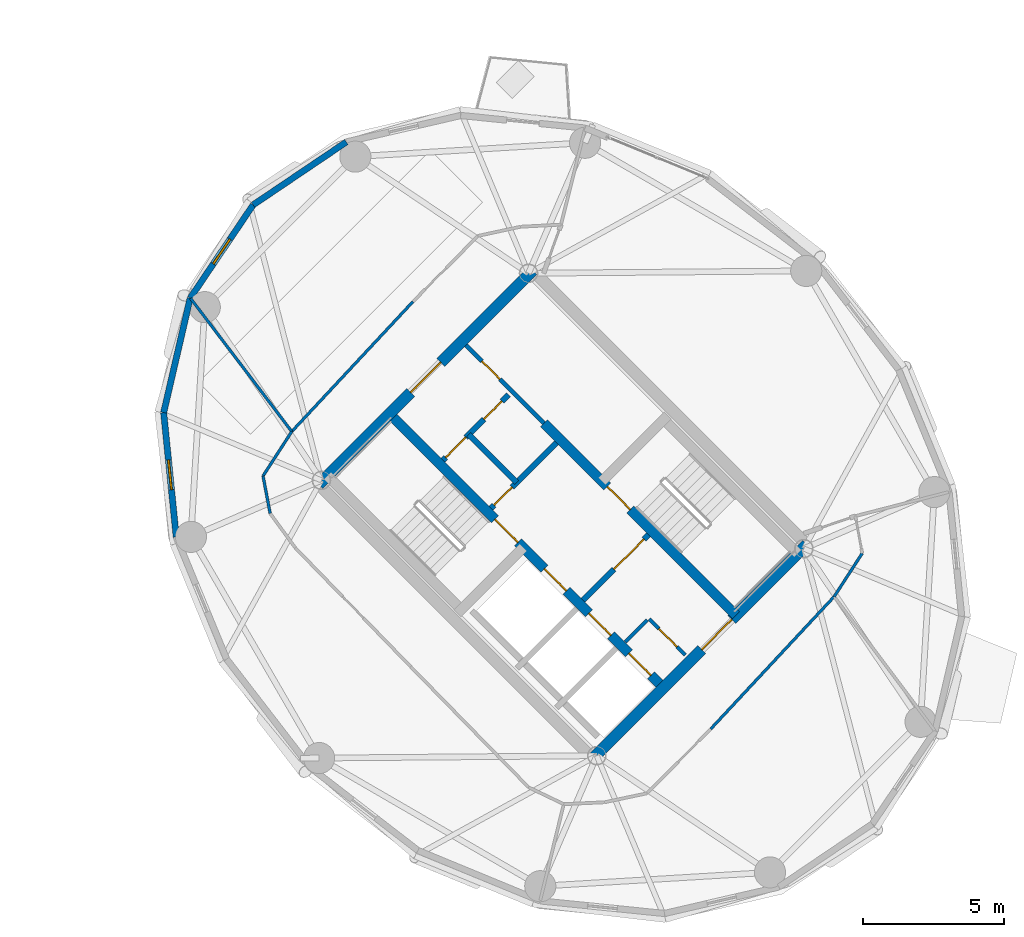
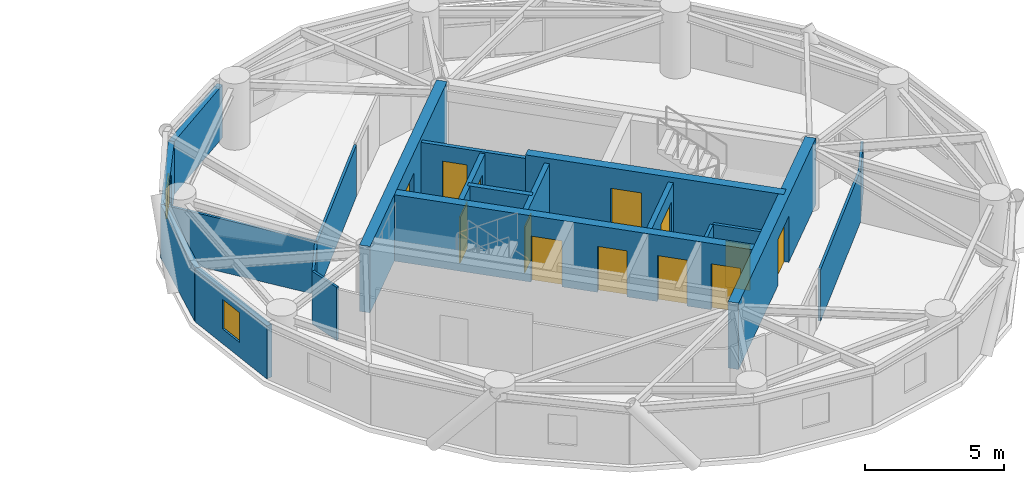
# One storey, part 10 of 15: 21 walls, 13 doors, 2 windows, 15 openings.
"""IFC4 building model written with IfcOpenShell, lengths in metres."""

import ifcopenshell
import ifcopenshell.guid

model = None  # the IFC model being written
_history = None  # IfcOwnerHistory: only IFC2X3 demands one
_inside = {}  # id of a spatial element -> (the spatial element, [elements in it])
_under = {}  # id of a project, library or spatial element -> (it, [spatial elements below it])
_declared = {}  # id of a project -> (the project, [libraries it declares])
_typed = {}  # id of a type object -> (the type object, [elements of that type])
_made_of = {}  # id of a material, layer set ... -> (it, [elements and type objects made of it])


def new_model(schema):
    """Start an empty IFC model of exactly this schema.

    Asked for "IFC4X3", IfcOpenShell would pick the latest addendum, in which some entities
    have other attributes; the version numbers below select the first issue.
    IFC2X3 requires an IfcOwnerHistory on every rooted entity: one is made here for all.
    """
    global model, _history
    if schema == "IFC4X3":
        model = ifcopenshell.file(schema_version=(4, 3, 0, 0))
    else:
        model = ifcopenshell.file(schema=schema)
    _inside.clear()
    _under.clear()
    _declared.clear()
    _typed.clear()
    _made_of.clear()
    _history = None
    if model.schema == "IFC2X3":
        org = make("IfcOrganization", Name="unknown")
        user = make(
            "IfcPersonAndOrganization",
            ThePerson=make("IfcPerson", FamilyName="unknown"),
            TheOrganization=org,
        )
        app = make(
            "IfcApplication",
            ApplicationDeveloper=org,
            Version="unknown",
            ApplicationFullName="unknown",
            ApplicationIdentifier="unknown",
        )
        _history = make(
            "IfcOwnerHistory",
            OwningUser=user,
            OwningApplication=app,
            ChangeAction="ADDED",
            CreationDate=0,
        )
    return model


def make(cls, **values):
    """One entity of the class cls with the attributes given. An attribute that is None is left unset."""
    return model.create_entity(
        cls, **{name: value for name, value in values.items() if value is not None}
    )


def rooted(cls, **values):
    """An entity with a GlobalId (a new one), such as an element, a storey or a relation."""
    return make(cls, GlobalId=ifcopenshell.guid.new(), OwnerHistory=_history, **values)


def si_unit(unit_type, name, prefix=None):
    """IfcSIUnit, for example si_unit("LENGTHUNIT", "METRE", prefix="MILLI")."""
    return make("IfcSIUnit", UnitType=unit_type, Prefix=prefix, Name=name)


def assignment(units):
    """IfcUnitAssignment: the units of a project."""
    return None if units is None else make("IfcUnitAssignment", Units=units)


def point(xyz):
    """IfcCartesianPoint."""
    return None if xyz is None else make("IfcCartesianPoint", Coordinates=xyz)


def direction(xyz):
    """IfcDirection."""
    return None if xyz is None else make("IfcDirection", DirectionRatios=xyz)


def frame(location, z_axis=None, x_axis=None):
    """IfcAxis2Placement3D, a coordinate frame: its origin and axes. An axis left out is left unset."""
    return make(
        "IfcAxis2Placement3D",
        Location=point(location),
        Axis=direction(z_axis),
        RefDirection=direction(x_axis),
    )


def frame_2d(location, x_axis=None):
    """IfcAxis2Placement2D, a coordinate frame in the plane: its origin and x axis."""
    return make(
        "IfcAxis2Placement2D", Location=point(location), RefDirection=direction(x_axis)
    )


def origin():
    """The frame at (0, 0, 0) with its axes left unset."""
    return frame((0.0, 0.0, 0.0))


def place(relative_to, where):
    """IfcLocalPlacement: puts the frame where relative to a parent placement (None: the world)."""
    return make(
        "IfcLocalPlacement", PlacementRelTo=relative_to, RelativePlacement=where
    )


def context(
    kind, dimensions, precision=None, world=None, true_north=None, identifier=None
):
    """IfcGeometricRepresentationContext, for example the 3D "Model" context."""
    return make(
        "IfcGeometricRepresentationContext",
        ContextIdentifier=identifier,
        ContextType=kind,
        CoordinateSpaceDimension=dimensions,
        Precision=precision,
        WorldCoordinateSystem=world,
        TrueNorth=true_north,
    )


def subcontext(parent, identifier, kind, view, scale=None):
    """IfcGeometricRepresentationSubContext, for example "Body" below "Model"."""
    return make(
        "IfcGeometricRepresentationSubContext",
        ContextIdentifier=identifier,
        ContextType=kind,
        ParentContext=parent,
        TargetScale=scale,
        TargetView=view,
    )


def project(units=None, contexts=None):
    """IfcProject with its units and contexts."""
    return rooted(
        "IfcProject",
        Name="project",
        RepresentationContexts=contexts,
        UnitsInContext=assignment(units),
    )


def spatial(cls, under=None, at=None, **own):
    """A site, building, storey or space (cls), placed at a placement, below another one or the project."""
    s = rooted(cls, ObjectPlacement=at, **own)
    if under is not None:
        _under.setdefault(under.id(), (under, []))[1].append(s)
    return s


def profile(cls, at=None, kind="AREA", **sizes):
    """A parametric profile (cls). Its sizes go by their IFC names, for example OverallWidth=200.0."""
    return make(cls, ProfileType=kind, Position=at, **sizes)


def rectangle(**sizes):
    """IfcRectangleProfileDef."""
    return profile("IfcRectangleProfileDef", **sizes)


def extrude(swept, where, along, depth):
    """IfcExtrudedAreaSolid: the profile swept, set in the frame where, extruded along a direction by depth."""
    return make(
        "IfcExtrudedAreaSolid",
        SweptArea=swept,
        Position=where,
        ExtrudedDirection=direction(along),
        Depth=depth,
    )


def shape(context_of_items, identifier, shape_type, items):
    """IfcShapeRepresentation: the items that make up one representation, for example the "Body"."""
    return make(
        "IfcShapeRepresentation",
        ContextOfItems=context_of_items,
        RepresentationIdentifier=identifier,
        RepresentationType=shape_type,
        Items=items,
    )


def source(mapping_origin, context_of_items, identifier, shape_type, items):
    """IfcRepresentationMap: a shape defined once, which mapped items show again and again."""
    return make(
        "IfcRepresentationMap",
        MappingOrigin=mapping_origin,
        MappedRepresentation=shape(context_of_items, identifier, shape_type, items),
    )


def transform(
    local_origin,
    x_axis=None,
    y_axis=None,
    z_axis=None,
    scale=None,
    scale2=None,
    scale3=None,
    uniform=True,
):
    """IfcCartesianTransformationOperator3D, or its non-uniform kind. x_axis, y_axis, z_axis: its Axis1, 2, 3."""
    if uniform:
        return make(
            "IfcCartesianTransformationOperator3D",
            Axis1=direction(x_axis),
            Axis2=direction(y_axis),
            LocalOrigin=point(local_origin),
            Scale=scale,
            Axis3=direction(z_axis),
        )
    return make(
        "IfcCartesianTransformationOperator3DnonUniform",
        Axis1=direction(x_axis),
        Axis2=direction(y_axis),
        LocalOrigin=point(local_origin),
        Scale=scale,
        Axis3=direction(z_axis),
        Scale2=scale2,
        Scale3=scale3,
    )


def mapped(mapping_source, mapping_target):
    """IfcMappedItem: shows the shape of a source again, moved by a transform."""
    return make(
        "IfcMappedItem", MappingSource=mapping_source, MappingTarget=mapping_target
    )


def material(Name=None, Category=None):
    """IfcMaterial."""
    return make("IfcMaterial", Name=Name, Category=Category)


def layer(
    of_material, thickness, ventilated=None, Name=None, Category=None, Priority=None
):
    """IfcMaterialLayer: one layer of a wall or slab, of a material (None: an air gap)."""
    return make(
        "IfcMaterialLayer",
        Material=of_material,
        LayerThickness=thickness,
        IsVentilated=ventilated,
        Name=Name,
        Category=Category,
        Priority=Priority,
    )


def layer_set(layers, Name=None):
    """IfcMaterialLayerSet."""
    return make("IfcMaterialLayerSet", MaterialLayers=layers, LayerSetName=Name)


def made_of(thing, what):
    """Note that an element or type object is made of a material, layer set ...; save() writes the relation."""
    if what is not None:
        _made_of.setdefault(what.id(), (what, []))[1].append(thing)
    return thing


def type_object(cls, material=None, **own):
    """A type object (cls), such as IfcWallType, which elements share."""
    return made_of(rooted(cls, **own), material)


def element(
    cls,
    number,
    at=None,
    inside=None,
    cuts=None,
    type_object=None,
    material=None,
    context=None,
    identifier="Body",
    shape_type=None,
    held_by="IfcProductDefinitionShape",
    body=None,
    shapes=None,
    **own,
):
    """One element of the class cls, such as IfcWall. Its Tag is "e" and its number.

    at: its placement. inside: the storey or other place that contains it. cuts: it is an
    opening in that element (IfcRelVoidsElement). A single representation is given by context,
    identifier, shape_type and body (its items); several are given by shapes. held_by: the class
    of the entity that holds the representations. save() writes the other relations.
    """
    e = rooted(cls, Tag="e%d" % number, ObjectPlacement=at, **own)
    if body is not None:
        shapes = [shape(context, identifier, shape_type, body)]
    if shapes is not None:
        e.Representation = make(held_by, Representations=shapes)
    if inside is not None:
        _inside.setdefault(inside.id(), (inside, []))[1].append(e)
    if cuts is not None:
        rooted(
            "IfcRelVoidsElement", RelatingBuildingElement=cuts, RelatedOpeningElement=e
        )
    if type_object is not None:
        _typed.setdefault(type_object.id(), (type_object, []))[1].append(e)
    return made_of(e, material)


def fill(opening, filler):
    """IfcRelFillsElement: the door or window that sits in an opening."""
    return rooted(
        "IfcRelFillsElement",
        RelatingOpeningElement=opening,
        RelatedBuildingElement=filler,
    )


def aggregate(whole, parts):
    """IfcRelAggregates: a whole, such as a stair, and the parts it consists of."""
    return rooted("IfcRelAggregates", RelatingObject=whole, RelatedObjects=parts)


def save(model, path):
    """Write the relations noted so far, then the file.

    IfcRelAggregates (storeys below a building ...), IfcRelContainedInSpatialStructure (elements
    in a storey), IfcRelDefinesByType, IfcRelAssociatesMaterial and IfcRelDeclares: one each for
    every whole, place, type object, material and project.
    """
    for whole, parts in _under.values():
        aggregate(whole, parts)
    for where, things in _inside.values():
        rooted(
            "IfcRelContainedInSpatialStructure",
            RelatedElements=things,
            RelatingStructure=where,
        )
    for kind, things in _typed.values():
        rooted("IfcRelDefinesByType", RelatedObjects=things, RelatingType=kind)
    for what, things in _made_of.values():
        rooted("IfcRelAssociatesMaterial", RelatedObjects=things, RelatingMaterial=what)
    for by, libraries in _declared.values():
        rooted("IfcRelDeclares", RelatingContext=by, RelatedDefinitions=libraries)
    model.write(path)


model = new_model("IFC4")

# Units and contexts
model_context = context("Model", 3, precision=1e-05, world=origin(), true_north=direction((0.0, 1.0)))
body_context = subcontext(model_context, "Body", "Model", "MODEL_VIEW")
ifc_project = project(units=[si_unit("LENGTHUNIT", "METRE"), si_unit("AREAUNIT", "SQUARE_METRE"), si_unit("VOLUMEUNIT", "CUBIC_METRE"), si_unit("PLANEANGLEUNIT", "RADIAN"), si_unit("MASSUNIT", "GRAM", prefix="KILO")], contexts=[model_context])

# Site, building, storey
site_placement = place(None, origin())
site = spatial("IfcSite", under=ifc_project, at=site_placement, CompositionType="ELEMENT")
building_placement = place(site_placement, origin())
building = spatial("IfcBuilding", under=site, at=building_placement, Name="Cununo Teusaquillo Station Towers", CompositionType="ELEMENT")
storey_placement = place(building_placement, frame((0.0, 0.0, 199.570068359375)))
storey = spatial("IfcBuildingStorey", under=building, at=storey_placement, Name="L63", CompositionType="ELEMENT", Elevation=199.570068359375)

# Wall, openings, doors
ifc_material_1 = material(Name="Concrete C50/60", Category="concrete")
ifc_layer_1 = layer(ifc_material_1, 0.35009765625)
ifc_layer_set_1 = layer_set([ifc_layer_1], Name="Concrete C50/60")
wall_type_1 = type_object("IfcWallType", Name="WL-CORE-350", PredefinedType="SHEAR", material=ifc_layer_set_1)
wall_1_placement = place(storey_placement, frame((61.060302734375, 18.372802734375, 0.0), z_axis=(0.0, 0.0, 1.0), x_axis=(-0.707106781187, 0.707106781187, 0.0)))
wall_1 = element("IfcWall", 1, at=wall_1_placement, inside=storey, type_object=wall_type_1, Name="L63 Tower B Core Shear Wall IW", PredefinedType="SHEAR", context=body_context, shape_type="SweptSolid", body=[
    extrude(rectangle(XDim=13.7001953125, YDim=0.35009765625, at=frame_2d((6.85009765625, 0.0))), origin(), (0.0, 0.0, 1.0), 2.909912109375),
])
shared_shape_1 = source(origin(), body_context, "Body", "SweptSolid", [
    extrude(rectangle(XDim=1.10009765625, YDim=2.014892578125, at=frame_2d((0.550048828125, 1.00732421875))), frame((0.0, 0.18505859375, 0.0), z_axis=(0.0, -1.0, 0.0), x_axis=(1.0, 0.0, 0.0)), (0.0, 0.0, 1.0), 0.3701171875),
])
opening_1_placement = place(wall_1_placement, frame((4.85009765625, 0.0, 0.0)))
opening_1 = element("IfcOpeningElement", 2, at=opening_1_placement, cuts=wall_1, Name="Opening LD-01", PredefinedType="OPENING", context=body_context, shape_type="MappedRepresentation", body=[
    mapped(shared_shape_1, transform((0.0, 0.0, 0.0), x_axis=(1.0, 0.0, 0.0), y_axis=(0.0, 1.0, 0.0), z_axis=(0.0, 0.0, 1.0), scale=1.0)),
])
opening_2_placement = place(wall_1_placement, frame((0.625, 0.0, 0.0)))
opening_2 = element("IfcOpeningElement", 3, at=opening_2_placement, cuts=wall_1, Name="Opening LD-01", PredefinedType="OPENING", context=body_context, shape_type="MappedRepresentation", body=[
    mapped(shared_shape_1, transform((0.0, 0.0, 0.0), x_axis=(1.0, 0.0, 0.0), y_axis=(0.0, 1.0, 0.0), z_axis=(0.0, 0.0, 1.0), scale=1.0)),
])
opening_3_placement = place(wall_1_placement, frame((2.625, 0.0, 0.0)))
opening_3 = element("IfcOpeningElement", 4, at=opening_3_placement, cuts=wall_1, Name="Opening LD-01", PredefinedType="OPENING", context=body_context, shape_type="MappedRepresentation", body=[
    mapped(shared_shape_1, transform((0.0, 0.0, 0.0), x_axis=(1.0, 0.0, 0.0), y_axis=(0.0, 1.0, 0.0), z_axis=(0.0, 0.0, 1.0), scale=1.0)),
])
shared_shape_2 = source(origin(), body_context, "Body", "SweptSolid", [
    extrude(rectangle(XDim=1.14990234375, YDim=2.02001953125, at=frame_2d((0.574951171875, 1.010009765625))), frame((0.0, 0.18505859375, 0.0), z_axis=(0.0, -1.0, 0.0), x_axis=(1.0, 0.0, 0.0)), (0.0, 0.0, 1.0), 0.3701171875),
])
opening_4_placement = place(wall_1_placement, frame((7.27001953125, 0.0, 0.0)))
opening_4 = element("IfcOpeningElement", 5, at=opening_4_placement, cuts=wall_1, Name="Opening D-ST1", PredefinedType="OPENING", context=body_context, shape_type="MappedRepresentation", body=[
    mapped(shared_shape_2, transform((0.0, 0.0, 0.0), x_axis=(1.0, 0.0, 0.0), y_axis=(0.0, 1.0, 0.0), z_axis=(0.0, 0.0, 1.0), scale=1.0)),
])
ifc_material_2 = material(Name="Galvanised fire-rated hollow steel door assembly", Category="steel")
door_type_1 = type_object("IfcDoorType", Name="DR-LIFT-1100", OperationType="SLIDING_TO_LEFT", PredefinedType="DOOR", material=ifc_material_2)
shared_shape_3 = source(origin(), body_context, "Body", "SweptSolid", [
    extrude(rectangle(XDim=1.10009765625, YDim=2.014892578125, at=frame_2d((0.550048828125, 1.00732421875))), frame((0.0, 0.02490234375, 0.0), z_axis=(0.0, -1.0, 0.0), x_axis=(1.0, 0.0, 0.0)), (0.0, 0.0, 1.0), 0.050048828125),
])
door_1_placement = place(opening_1_placement, origin())
door_1 = element("IfcDoor", 6, at=door_1_placement, inside=storey, type_object=door_type_1, Name="L63 Lift FL-T2 Sliding Landing Door", OperationType="SLIDING_TO_LEFT", OverallHeight=2.014892578125, OverallWidth=1.10009765625, PredefinedType="DOOR", context=body_context, shape_type="MappedRepresentation", body=[
    mapped(shared_shape_3, transform((0.0, 0.0, 0.0), x_axis=(1.0, 0.0, 0.0), y_axis=(0.0, 1.0, 0.0), z_axis=(0.0, 0.0, 1.0), scale=1.0)),
])
fill(opening_1, door_1)
door_2_placement = place(opening_2_placement, origin())
door_2 = element("IfcDoor", 7, at=door_2_placement, inside=storey, type_object=door_type_1, Name="L63 Lift PL-T2-H1 Sliding Landing Door", OperationType="SLIDING_TO_LEFT", OverallHeight=2.014892578125, OverallWidth=1.10009765625, PredefinedType="DOOR", context=body_context, shape_type="MappedRepresentation", body=[
    mapped(shared_shape_3, transform((0.0, 0.0, 0.0), x_axis=(1.0, 0.0, 0.0), y_axis=(0.0, 1.0, 0.0), z_axis=(0.0, 0.0, 1.0), scale=1.0)),
])
fill(opening_2, door_2)
door_3_placement = place(opening_3_placement, origin())
door_3 = element("IfcDoor", 8, at=door_3_placement, inside=storey, type_object=door_type_1, Name="L63 Lift PL-T2-H2 Sliding Landing Door", OperationType="SLIDING_TO_RIGHT", OverallHeight=2.014892578125, OverallWidth=1.10009765625, PredefinedType="DOOR", context=body_context, shape_type="MappedRepresentation", body=[
    mapped(shared_shape_3, transform((0.0, 0.0, 0.0), x_axis=(1.0, 0.0, 0.0), y_axis=(0.0, 1.0, 0.0), z_axis=(0.0, 0.0, 1.0), scale=1.0)),
])
fill(opening_3, door_3)
ifc_material_3 = material(Name="Galvanised fire-rated hollow steel door assembly", Category="steel")
door_type_2 = type_object("IfcDoorType", Name="DR-STAIR-1150", OperationType="NOTDEFINED", PredefinedType="DOOR", material=ifc_material_3)
shared_shape_4 = source(origin(), body_context, "Body", "SweptSolid", [
    extrude(rectangle(XDim=1.14990234375, YDim=2.02001953125, at=frame_2d((0.574951171875, 1.010009765625))), frame((0.0, 0.02490234375, 0.0), z_axis=(0.0, -1.0, 0.0), x_axis=(1.0, 0.0, 0.0)), (0.0, 0.0, 1.0), 0.050048828125),
])
door_4_placement = place(opening_4_placement, origin())
door_4 = element("IfcDoor", 9, at=door_4_placement, inside=storey, type_object=door_type_2, Name="L63 Tower B Exit Stair 1 Fire Door", OperationType="SINGLE_SWING_LEFT", OverallHeight=2.02001953125, OverallWidth=1.14990234375, PredefinedType="DOOR", context=body_context, shape_type="MappedRepresentation", body=[
    mapped(shared_shape_4, transform((0.0, 0.0, 0.0), x_axis=(1.0, 0.0, 0.0), y_axis=(0.0, 1.0, 0.0), z_axis=(0.0, 0.0, 1.0), scale=1.0)),
])
fill(opening_4, door_4)

# Wall, opening, door
wall_2_placement = place(storey_placement, frame((63.627197265625, 20.939697265625, 0.0), z_axis=(0.0, 0.0, 1.0), x_axis=(-0.707119496762, 0.707094065383, 0.0)))
wall_2 = element("IfcWall", 10, at=wall_2_placement, inside=storey, type_object=wall_type_1, Name="L63 Tower B Core Shear Wall IE", PredefinedType="SHEAR", context=body_context, shape_type="SweptSolid", body=[
    extrude(rectangle(XDim=9.60009765625, YDim=0.35009765625, at=frame_2d((4.800048828125, 0.0))), origin(), (0.0, 0.0, 1.0), 2.909912109375),
])
opening_5_placement = place(wall_2_placement, frame((5.280029296875, 0.0, 0.0)))
opening_5 = element("IfcOpeningElement", 11, at=opening_5_placement, cuts=wall_2, Name="Opening D-ST1", PredefinedType="OPENING", context=body_context, shape_type="MappedRepresentation", body=[
    mapped(shared_shape_2, transform((0.0, 0.0, 0.0), x_axis=(1.0, 0.0, 0.0), y_axis=(0.0, 1.0, 0.0), z_axis=(0.0, 0.0, 1.0), scale=1.0)),
])
door_5_placement = place(opening_5_placement, origin())
door_5 = element("IfcDoor", 12, at=door_5_placement, inside=storey, type_object=door_type_2, Name="L63 Tower B Exit Stair 2 Fire Door", OperationType="SINGLE_SWING_RIGHT", OverallHeight=2.02001953125, OverallWidth=1.14990234375, PredefinedType="DOOR", context=body_context, shape_type="MappedRepresentation", body=[
    mapped(shared_shape_4, transform((0.0, 0.0, 0.0), x_axis=(1.0, 0.0, 0.0), y_axis=(0.0, 1.0, 0.0), z_axis=(0.0, 0.0, 1.0), scale=1.0)),
])
fill(opening_5, door_5)

ifc_material_4 = material(Name="Concrete C50/60", Category="concrete")
ifc_layer_2 = layer(ifc_material_4, 0.39990234375)
ifc_layer_set_2 = layer_set([ifc_layer_2], Name="Concrete C50/60")
wall_type_2 = type_object("IfcWallType", Name="WL-CORE-400", PredefinedType="SHEAR", material=ifc_layer_set_2)
wall_3_placement = place(storey_placement, frame((58.560791015625, 15.873291015625, 0.0), z_axis=(0.0, 0.0, 1.0), x_axis=(0.707106781187, 0.707106781187, 0.0)))
wall_3 = element("IfcWall", 13, at=wall_3_placement, inside=storey, type_object=wall_type_2, Name="L63 Tower B Core Shear Wall S", PredefinedType="SHEAR", context=body_context, shape_type="SweptSolid", body=[
    extrude(rectangle(XDim=10.69970703125, YDim=0.39990234375, at=frame_2d((5.349853515625, 0.0))), origin(), (0.0, 0.0, 1.0), 2.909912109375),
])
shared_shape_5 = source(origin(), body_context, "Body", "SweptSolid", [
    extrude(rectangle(XDim=1.5, YDim=2.02001953125, at=frame_2d((0.75, 1.010009765625))), frame((0.0, 0.2099609375, 0.0), z_axis=(0.0, -1.0, 0.0), x_axis=(1.0, 0.0, 0.0)), (0.0, 0.0, 1.0), 0.419921875),
])
opening_6_placement = place(wall_3_placement, frame((5.449951171875, 0.0, 0.0)))
opening_6 = element("IfcOpeningElement", 14, at=opening_6_placement, cuts=wall_3, Name="Opening D-LB1", PredefinedType="OPENING", context=body_context, shape_type="MappedRepresentation", body=[
    mapped(shared_shape_5, transform((0.0, 0.0, 0.0), x_axis=(1.0, 0.0, 0.0), y_axis=(0.0, 1.0, 0.0), z_axis=(0.0, 0.0, 1.0), scale=1.0)),
])
ifc_material_5 = material(Name="Galvanised fire-rated hollow steel door assembly", Category="steel")
door_type_3 = type_object("IfcDoorType", Name="DR-LOBBY-1500", OperationType="DOUBLE_DOOR_SINGLE_SWING", PredefinedType="DOOR", material=ifc_material_5)
shared_shape_6 = source(origin(), body_context, "Body", "SweptSolid", [
    extrude(rectangle(XDim=1.5, YDim=2.02001953125, at=frame_2d((0.75, 1.010009765625))), frame((0.0, 0.02490234375, 0.0), z_axis=(0.0, -1.0, 0.0), x_axis=(1.0, 0.0, 0.0)), (0.0, 0.0, 1.0), 0.050048828125),
])
door_6_placement = place(opening_6_placement, origin())
door_6 = element("IfcDoor", 15, at=door_6_placement, inside=storey, type_object=door_type_3, Name="L63 Tower B South Core Lift Lobby Door", OperationType="DOUBLE_DOOR_SINGLE_SWING", OverallHeight=2.02001953125, OverallWidth=1.5, PredefinedType="DOOR", context=body_context, shape_type="MappedRepresentation", body=[
    mapped(shared_shape_6, transform((0.0, 0.0, 0.0), x_axis=(1.0, 0.0, 0.0), y_axis=(0.0, 1.0, 0.0), z_axis=(0.0, 0.0, 1.0), scale=1.0)),
])
fill(opening_6, door_6)

wall_4_placement = place(storey_placement, frame((48.873291015625, 25.560791015625, 0.0), z_axis=(0.0, 0.0, 1.0), x_axis=(0.707106781187, 0.707106781187, 0.0)))
wall_4 = element("IfcWall", 16, at=wall_4_placement, inside=storey, type_object=wall_type_2, Name="L63 Tower B Core Shear Wall N", PredefinedType="SHEAR", context=body_context, shape_type="SweptSolid", body=[
    extrude(rectangle(XDim=10.69970703125, YDim=0.39990234375, at=frame_2d((5.349853515625, 0.0))), origin(), (0.0, 0.0, 1.0), 2.909912109375),
])
opening_7_placement = place(wall_4_placement, frame((4.60009765625, 0.0, 0.0)))
opening_7 = element("IfcOpeningElement", 17, at=opening_7_placement, cuts=wall_4, Name="Opening D-LB1", PredefinedType="OPENING", context=body_context, shape_type="MappedRepresentation", body=[
    mapped(shared_shape_5, transform((0.0, 0.0, 0.0), x_axis=(1.0, 0.0, 0.0), y_axis=(0.0, 1.0, 0.0), z_axis=(0.0, 0.0, 1.0), scale=1.0)),
])
door_7_placement = place(opening_7_placement, origin())
door_7 = element("IfcDoor", 18, at=door_7_placement, inside=storey, type_object=door_type_3, Name="L63 Tower B North Core Lift Lobby Door", OperationType="DOUBLE_DOOR_SINGLE_SWING", OverallHeight=2.02001953125, OverallWidth=1.5, PredefinedType="DOOR", context=body_context, shape_type="MappedRepresentation", body=[
    mapped(shared_shape_6, transform((0.0, 0.0, 0.0), x_axis=(1.0, 0.0, 0.0), y_axis=(0.0, 1.0, 0.0), z_axis=(0.0, 0.0, 1.0), scale=1.0)),
])
fill(opening_7, door_7)

# Wall
ifc_material_6 = material(Name="Precast concrete C40/50", Category="concrete")
ifc_layer_3 = layer(ifc_material_6, 0.219970703125)
ifc_layer_set_3 = layer_set([ifc_layer_3], Name="Precast concrete C40/50")
wall_type_3 = type_object("IfcWallType", Name="WL-EXT-220", PredefinedType="SOLIDWALL", material=ifc_layer_set_3)
wall_5_placement = place(storey_placement, frame((46.56103515625, 35.43896484375, 0.0), z_axis=(0.0, 0.0, 1.0), x_axis=(0.828833723692, 0.559495003079, 0.0)))
element("IfcWall", 19, at=wall_5_placement, inside=storey, type_object=wall_type_3, Name="L63 Tower B Exterior Facade Wall C04", PredefinedType="SOLIDWALL", context=body_context, shape_type="SweptSolid", body=[
    extrude(rectangle(XDim=3.9755859375, YDim=0.219970703125, at=frame_2d((1.98779296875, 0.0))), origin(), (0.0, 0.0, 1.0), 2.322021484375),
])

# Wall, opening, window
wall_6_placement = place(storey_placement, frame((44.336669921875, 32.143798828125, 0.0), z_axis=(0.0, 0.0, 1.0), x_axis=(0.559495003079, 0.828833723692, 0.0)))
wall_6 = element("IfcWall", 20, at=wall_6_placement, inside=storey, type_object=wall_type_3, Name="L63 Tower B Exterior Facade Wall C05", PredefinedType="SOLIDWALL", context=body_context, shape_type="SweptSolid", body=[
    extrude(rectangle(XDim=3.9755859375, YDim=0.219970703125, at=frame_2d((1.98779296875, 0.0))), origin(), (0.0, 0.0, 1.0), 2.322021484375),
])
shared_shape_7 = source(origin(), body_context, "Body", "SweptSolid", [
    extrude(rectangle(XDim=1.050048828125, YDim=1.300048828125, at=frame_2d((0.52490234375, 0.64990234375))), frame((0.0, 0.119873046875, 0.0), z_axis=(0.0, -1.0, 0.0), x_axis=(1.0, 0.0, 0.0)), (0.0, 0.0, 1.0), 0.239990234375),
])
opening_8_placement = place(wall_6_placement, frame((1.462890625, 0.0, 0.64990234375)))
opening_8 = element("IfcOpeningElement", 21, at=opening_8_placement, cuts=wall_6, Name="Opening WN-04", PredefinedType="OPENING", context=body_context, shape_type="MappedRepresentation", body=[
    mapped(shared_shape_7, transform((0.0, 0.0, 0.0), x_axis=(1.0, 0.0, 0.0), y_axis=(0.0, 1.0, 0.0), z_axis=(0.0, 0.0, 1.0), scale=1.0)),
])
ifc_material_7 = material(Name="Operable acoustic tinted low-E double glazing", Category="glass")
window_type = type_object("IfcWindowType", Name="WIN-BAL-1050", PartitioningType="SINGLE_PANEL", PredefinedType="WINDOW", material=ifc_material_7)
shared_shape_8 = source(origin(), body_context, "Body", "SweptSolid", [
    extrude(rectangle(XDim=1.050048828125, YDim=1.300048828125, at=frame_2d((0.52490234375, 0.64990234375))), frame((0.0, 0.030029296875, 0.0), z_axis=(0.0, -1.0, 0.0), x_axis=(1.0, 0.0, 0.0)), (0.0, 0.0, 1.0), 0.06005859375),
])
window_1_placement = place(opening_8_placement, origin())
window_1 = element("IfcWindow", 22, at=window_1_placement, inside=storey, type_object=window_type, Name="L63 Tower B Facade Window C05", OverallHeight=1.300048828125, OverallWidth=1.050048828125, PartitioningType="SINGLE_PANEL", PredefinedType="WINDOW", context=body_context, shape_type="MappedRepresentation", body=[
    mapped(shared_shape_8, transform((0.0, 0.0, 0.0), x_axis=(1.0, 0.0, 0.0), y_axis=(0.0, 1.0, 0.0), z_axis=(0.0, 0.0, 1.0), scale=1.0)),
])
fill(opening_8, window_1)

# Wall
wall_7_placement = place(storey_placement, frame((43.40087890625, 28.100341796875, 0.0), z_axis=(0.0, 0.0, 1.0), x_axis=(0.225473813158, 0.974249228678, 0.0)))
element("IfcWall", 23, at=wall_7_placement, inside=storey, type_object=wall_type_3, Name="L63 Tower B Exterior Facade Wall C06", PredefinedType="SOLIDWALL", context=body_context, shape_type="SweptSolid", body=[
    extrude(rectangle(XDim=4.150390625, YDim=0.219970703125, at=frame_2d((2.0751953125, 0.0))), origin(), (0.0, 0.0, 1.0), 2.322021484375),
])

# Wall, opening, window
wall_8_placement = place(storey_placement, frame((43.84521484375, 23.70458984375, 0.0), z_axis=(0.0, 0.0, 1.0), x_axis=(-0.100570534541, 0.994929930991, 0.0)))
wall_8 = element("IfcWall", 24, at=wall_8_placement, inside=storey, type_object=wall_type_3, Name="L63 Tower B Exterior Facade Wall C07", PredefinedType="SOLIDWALL", context=body_context, shape_type="SweptSolid", body=[
    extrude(rectangle(XDim=4.418212890625, YDim=0.219970703125, at=frame_2d((2.208984375, 0.0))), origin(), (0.0, 0.0, 1.0), 2.322021484375),
])
opening_9_placement = place(wall_8_placement, frame((1.68408203125, 0.0, 0.64990234375)))
opening_9 = element("IfcOpeningElement", 25, at=opening_9_placement, cuts=wall_8, Name="Opening WN-04", PredefinedType="OPENING", context=body_context, shape_type="MappedRepresentation", body=[
    mapped(shared_shape_7, transform((0.0, 0.0, 0.0), x_axis=(1.0, 0.0, 0.0), y_axis=(0.0, 1.0, 0.0), z_axis=(0.0, 0.0, 1.0), scale=1.0)),
])
window_2_placement = place(opening_9_placement, origin())
window_2 = element("IfcWindow", 26, at=window_2_placement, inside=storey, type_object=window_type, Name="L63 Tower B Facade Window C07", OverallHeight=1.300048828125, OverallWidth=1.050048828125, PartitioningType="SINGLE_PANEL", PredefinedType="WINDOW", context=body_context, shape_type="MappedRepresentation", body=[
    mapped(shared_shape_8, transform((0.0, 0.0, 0.0), x_axis=(1.0, 0.0, 0.0), y_axis=(0.0, 1.0, 0.0), z_axis=(0.0, 0.0, 1.0), scale=1.0)),
])
fill(opening_9, window_2)

# Walls
ifc_material_8 = material(Name="Fire-rated gypsum plasterboard partition assembly", Category="gypsum")
ifc_layer_4 = layer(ifc_material_8, 0.10009765625)
ifc_layer_set_4 = layer_set([ifc_layer_4], Name="Fire-rated gypsum plasterboard partition assembly")
wall_type_4 = type_object("IfcWallType", Name="WL-PART-100", PredefinedType="MOVABLE", material=ifc_layer_set_4)
wall_9_placement = place(storey_placement, frame((52.21240234375, 32.0244140625, 0.0), z_axis=(0.0, 0.0, 1.0), x_axis=(-0.682158998173, -0.731203871169, 0.0)))
element("IfcWall", 27, at=wall_9_placement, inside=storey, type_object=wall_type_4, Name="L63 Tower B Corridor Ring Wall C05", PredefinedType="MOVABLE", context=body_context, shape_type="SweptSolid", body=[
    extrude(rectangle(XDim=6.2822265625, YDim=0.10009765625, at=frame_2d((3.14111328125, 0.0))), origin(), (0.0, 0.0, 1.0), 2.2548828125),
])
wall_10_placement = place(storey_placement, frame((47.927001953125, 27.430908203125, 0.0), z_axis=(0.0, 0.0, 1.0), x_axis=(-0.543126643356, -0.839650790077, 0.0)))
element("IfcWall", 28, at=wall_10_placement, inside=storey, type_object=wall_type_4, Name="L63 Tower B Corridor Ring Wall C06", PredefinedType="MOVABLE", context=body_context, shape_type="SweptSolid", body=[
    extrude(rectangle(XDim=1.8681640625, YDim=0.10009765625, at=frame_2d((0.93408203125, 0.0))), origin(), (0.0, 0.0, 1.0), 2.2548828125),
])
wall_11_placement = place(storey_placement, frame((46.912353515625, 25.8623046875, 0.0), z_axis=(0.0, 0.0, 1.0), x_axis=(0.186095172215, -0.98253172309, 0.0)))
element("IfcWall", 29, at=wall_11_placement, inside=storey, type_object=wall_type_4, Name="L63 Tower B Corridor Ring Wall C07", PredefinedType="MOVABLE", context=body_context, shape_type="SweptSolid", body=[
    extrude(rectangle(XDim=1.345947265625, YDim=0.10009765625, at=frame_2d((0.6728515625, 0.0))), origin(), (0.0, 0.0, 1.0), 2.322021484375),
])
wall_12_placement = place(storey_placement, frame((62.735595703125, 16.923828125, 0.0), z_axis=(0.0, 0.0, 1.0), x_axis=(0.681946700833, 0.731401871219, 0.0)))
element("IfcWall", 30, at=wall_12_placement, inside=storey, type_object=wall_type_4, Name="L63 Tower B Corridor Ring Wall C15", PredefinedType="MOVABLE", context=body_context, shape_type="SweptSolid", body=[
    extrude(rectangle(XDim=6.392822265625, YDim=0.10009765625, at=frame_2d((3.1962890625, 0.0))), origin(), (0.0, 0.0, 1.0), 2.2548828125),
])
wall_13_placement = place(storey_placement, frame((67.09521484375, 21.599609375, 0.0), z_axis=(0.0, 0.0, 1.0), x_axis=(0.543773190184, 0.839232219137, 0.0)))
element("IfcWall", 31, at=wall_13_placement, inside=storey, type_object=wall_type_4, Name="L63 Tower B Corridor Ring Wall C16", PredefinedType="MOVABLE", context=body_context, shape_type="SweptSolid", body=[
    extrude(rectangle(XDim=1.82275390625, YDim=0.10009765625, at=frame_2d((0.911376953125, 0.0))), origin(), (0.0, 0.0, 1.0), 2.2548828125),
])
wall_14_placement = place(storey_placement, frame((47.927001953125, 27.430908203125, 0.0), z_axis=(0.0, 0.0, 1.0), x_axis=(-0.604823333103, 0.796359677366, 0.0)))
element("IfcWall", 32, at=wall_14_placement, inside=storey, type_object=wall_type_4, Name="L63 Tower B Radial Suite Partition R02", PredefinedType="MOVABLE", context=body_context, shape_type="SweptSolid", body=[
    extrude(rectangle(XDim=5.90673828125, YDim=0.10009765625, at=frame_2d((2.953369140625, 0.0))), origin(), (0.0, 0.0, 1.0), 2.322021484375),
])

# Wall, opening, door
ifc_material_9 = material(Name="Fire-rated gypsum plasterboard partition assembly", Category="gypsum")
ifc_layer_5 = layer(ifc_material_9, 0.125)
ifc_layer_set_5 = layer_set([ifc_layer_5], Name="Fire-rated gypsum plasterboard partition assembly")
wall_type_5 = type_object("IfcWallType", Name="WL-PART-125", PredefinedType="PARTITIONING", material=ifc_layer_set_5)
wall_15_placement = place(storey_placement, frame((61.834716796875, 19.529052734375, 0.0), z_axis=(0.0, 0.0, 1.0), x_axis=(-0.707174592913, 0.707038962956, 0.0)))
wall_15 = element("IfcWall", 33, at=wall_15_placement, inside=storey, type_object=wall_type_5, Name="L63 Tower B South-West Compact Store East Wall", PredefinedType="PARTITIONING", context=body_context, shape_type="SweptSolid", body=[
    extrude(rectangle(XDim=1.800048828125, YDim=0.125, at=frame_2d((0.89990234375, 0.0))), origin(), (0.0, 0.0, 1.0), 2.684814453125),
])
shared_shape_9 = source(origin(), body_context, "Body", "SweptSolid", [
    extrude(rectangle(XDim=0.89990234375, YDim=2.0048828125, at=frame_2d((0.449951171875, 1.00244140625))), frame((0.0, 0.072509765625, 0.0), z_axis=(0.0, -1.0, 0.0), x_axis=(1.0, 0.0, 0.0)), (0.0, 0.0, 1.0), 0.14501953125),
])
opening_10_placement = place(wall_15_placement, frame((0.419921875, 0.0, 0.0)))
opening_10 = element("IfcOpeningElement", 34, at=opening_10_placement, cuts=wall_15, Name="Opening D-SR1", PredefinedType="OPENING", context=body_context, shape_type="MappedRepresentation", body=[
    mapped(shared_shape_9, transform((0.0, 0.0, 0.0), x_axis=(1.0, 0.0, 0.0), y_axis=(0.0, 1.0, 0.0), z_axis=(0.0, 0.0, 1.0), scale=1.0)),
])
ifc_material_10 = material(Name="Galvanised fire-rated hollow steel door assembly", Category="steel")
door_type_4 = type_object("IfcDoorType", Name="DR-STORE-900", OperationType="NOTDEFINED", PredefinedType="DOOR", material=ifc_material_10)
shared_shape_10 = source(origin(), body_context, "Body", "SweptSolid", [
    extrude(rectangle(XDim=0.89990234375, YDim=2.0048828125, at=frame_2d((0.449951171875, 1.00244140625))), frame((0.0, 0.02490234375, 0.0), z_axis=(0.0, -1.0, 0.0), x_axis=(1.0, 0.0, 0.0)), (0.0, 0.0, 1.0), 0.050048828125),
])
door_8_placement = place(opening_10_placement, origin())
door_8 = element("IfcDoor", 35, at=door_8_placement, inside=storey, type_object=door_type_4, Name="L63 Tower B Core Electrical & Comms Store Door", OperationType="SINGLE_SWING_LEFT", OverallHeight=2.0048828125, OverallWidth=0.89990234375, PredefinedType="DOOR", context=body_context, shape_type="MappedRepresentation", body=[
    mapped(shared_shape_10, transform((0.0, 0.0, 0.0), x_axis=(1.0, 0.0, 0.0), y_axis=(0.0, 1.0, 0.0), z_axis=(0.0, 0.0, 1.0), scale=1.0)),
])
fill(opening_10, door_8)

# Wall
wall_16_placement = place(storey_placement, frame((59.713134765625, 19.99560546875, 0.0), z_axis=(0.0, 0.0, 1.0), x_axis=(0.707217726, 0.706995818963, 0.0)))
element("IfcWall", 36, at=wall_16_placement, inside=storey, type_object=wall_type_5, Name="L63 Tower B South-West Compact Store North Wall", PredefinedType="PARTITIONING", context=body_context, shape_type="SweptSolid", body=[
    extrude(rectangle(XDim=1.10009765625, YDim=0.125, at=frame_2d((0.550048828125, 0.0))), origin(), (0.0, 0.0, 1.0), 2.684814453125),
])

# Wall, opening, door
ifc_material_11 = material(Name="Fire-rated gypsum plasterboard partition assembly", Category="gypsum")
ifc_layer_6 = layer(ifc_material_11, 0.159912109375)
ifc_layer_set_6 = layer_set([ifc_layer_6], Name="Fire-rated gypsum plasterboard partition assembly")
wall_type_6 = type_object("IfcWallType", Name="WL-PART-160", PredefinedType="PARTITIONING", material=ifc_layer_set_6)
wall_17_placement = place(storey_placement, frame((56.8388671875, 27.727783203125, 0.0), z_axis=(0.0, 0.0, 1.0), x_axis=(-0.707106781187, 0.707106781187, 0.0)))
wall_17 = element("IfcWall", 37, at=wall_17_placement, inside=storey, type_object=wall_type_6, Name="L63 Tower B Reclaimed Core Bay Entry Wall", PredefinedType="PARTITIONING", context=body_context, shape_type="SweptSolid", body=[
    extrude(rectangle(XDim=3.900146484375, YDim=0.159912109375, at=frame_2d((1.9501953125, 0.0))), origin(), (0.0, 0.0, 1.0), 2.684814453125),
])
shared_shape_11 = source(origin(), body_context, "Body", "SweptSolid", [
    extrude(rectangle(XDim=0.89990234375, YDim=2.0048828125, at=frame_2d((0.449951171875, 1.00244140625))), frame((0.0, 0.08984375, 0.0), z_axis=(0.0, -1.0, 0.0), x_axis=(1.0, 0.0, 0.0)), (0.0, 0.0, 1.0), 0.179931640625),
])
opening_11_placement = place(wall_17_placement, frame((2.199951171875, 0.0, 0.0)))
opening_11 = element("IfcOpeningElement", 38, at=opening_11_placement, cuts=wall_17, Name="Opening D-IN1", PredefinedType="OPENING", context=body_context, shape_type="MappedRepresentation", body=[
    mapped(shared_shape_11, transform((0.0, 0.0, 0.0), x_axis=(1.0, 0.0, 0.0), y_axis=(0.0, 1.0, 0.0), z_axis=(0.0, 0.0, 1.0), scale=1.0)),
])
ifc_material_12 = material(Name="Acoustic solid-core hardwood leaf assembly", Category="wood")
door_type_5 = type_object("IfcDoorType", Name="DR-INT-900", OperationType="NOTDEFINED", PredefinedType="DOOR", material=ifc_material_12)
door_9_placement = place(opening_11_placement, origin())
door_9 = element("IfcDoor", 39, at=door_9_placement, inside=storey, type_object=door_type_5, Name="L63 Tower B Reclaimed Core Lounge Door", OperationType="SINGLE_SWING_LEFT", OverallHeight=2.0048828125, OverallWidth=0.89990234375, PredefinedType="DOOR", context=body_context, shape_type="MappedRepresentation", body=[
    mapped(shared_shape_10, transform((0.0, 0.0, 0.0), x_axis=(1.0, 0.0, 0.0), y_axis=(0.0, 1.0, 0.0), z_axis=(0.0, 0.0, 1.0), scale=1.0)),
])
fill(opening_11, door_9)

ifc_material_13 = material(Name="Fire-rated gypsum plasterboard partition assembly", Category="gypsum")
ifc_layer_7 = layer(ifc_material_13, 0.199951171875)
ifc_layer_set_7 = layer_set([ifc_layer_7], Name="Fire-rated gypsum plasterboard partition assembly")
wall_type_7 = type_object("IfcWallType", Name="WL-PART-200", PredefinedType="PARTITIONING", material=ifc_layer_set_7)
wall_18_placement = place(storey_placement, frame((58.214111328125, 21.466552734375, 0.0), z_axis=(0.0, 0.0, 1.0), x_axis=(0.707106781187, 0.707106781187, 0.0)))
wall_18 = element("IfcWall", 40, at=wall_18_placement, inside=storey, type_object=wall_type_7, Name="L63 Tower B Firefighting Lift Lobby South Fire Wall", PredefinedType="PARTITIONING", context=body_context, shape_type="SweptSolid", body=[
    extrude(rectangle(XDim=3.280029296875, YDim=0.199951171875, at=frame_2d((1.64013671875, 0.0))), origin(), (0.0, 0.0, 1.0), 2.684814453125),
])
shared_shape_12 = source(origin(), body_context, "Body", "SweptSolid", [
    extrude(rectangle(XDim=1.5, YDim=2.02001953125, at=frame_2d((0.75, 1.010009765625))), frame((0.0, 0.10986328125, 0.0), z_axis=(0.0, -1.0, 0.0), x_axis=(1.0, 0.0, 0.0)), (0.0, 0.0, 1.0), 0.219970703125),
])
opening_12_placement = place(wall_18_placement, frame((1.550048828125, 0.0, 0.0)))
opening_12 = element("IfcOpeningElement", 41, at=opening_12_placement, cuts=wall_18, Name="Opening D-LB1", PredefinedType="OPENING", context=body_context, shape_type="MappedRepresentation", body=[
    mapped(shared_shape_12, transform((0.0, 0.0, 0.0), x_axis=(1.0, 0.0, 0.0), y_axis=(0.0, 1.0, 0.0), z_axis=(0.0, 0.0, 1.0), scale=1.0)),
])
door_10_placement = place(opening_12_placement, origin())
door_10 = element("IfcDoor", 42, at=door_10_placement, inside=storey, type_object=door_type_3, Name="L63 Tower B Firefighting Lift Lobby South Fire Door", OperationType="DOUBLE_DOOR_SINGLE_SWING", OverallHeight=2.02001953125, OverallWidth=1.5, PredefinedType="DOOR", context=body_context, shape_type="MappedRepresentation", body=[
    mapped(shared_shape_6, transform((0.0, 0.0, 0.0), x_axis=(1.0, 0.0, 0.0), y_axis=(0.0, 1.0, 0.0), z_axis=(0.0, 0.0, 1.0), scale=1.0)),
])
fill(opening_12, door_10)

wall_19_placement = place(storey_placement, frame((54.96142578125, 24.71923828125, 0.0), z_axis=(0.0, 0.0, 1.0), x_axis=(0.707106781187, 0.707106781187, 0.0)))
wall_19 = element("IfcWall", 43, at=wall_19_placement, inside=storey, type_object=wall_type_7, Name="L63 Tower B Firefighting Lift Lobby North Fire Wall", PredefinedType="PARTITIONING", context=body_context, shape_type="SweptSolid", body=[
    extrude(rectangle(XDim=3.280029296875, YDim=0.199951171875, at=frame_2d((1.64013671875, 0.0))), origin(), (0.0, 0.0, 1.0), 2.684814453125),
])
shared_shape_13 = source(origin(), body_context, "Body", "SweptSolid", [
    extrude(rectangle(XDim=0.89990234375, YDim=2.0048828125, at=frame_2d((0.449951171875, 1.00244140625))), frame((0.0, 0.10986328125, 0.0), z_axis=(0.0, -1.0, 0.0), x_axis=(1.0, 0.0, 0.0)), (0.0, 0.0, 1.0), 0.219970703125),
])
opening_13_placement = place(wall_19_placement, frame((0.159912109375, 0.0, 0.0)))
opening_13 = element("IfcOpeningElement", 44, at=opening_13_placement, cuts=wall_19, Name="Opening D-SR1", PredefinedType="OPENING", context=body_context, shape_type="MappedRepresentation", body=[
    mapped(shared_shape_13, transform((0.0, 0.0, 0.0), x_axis=(1.0, 0.0, 0.0), y_axis=(0.0, 1.0, 0.0), z_axis=(0.0, 0.0, 1.0), scale=1.0)),
])
door_11_placement = place(opening_13_placement, origin())
door_11 = element("IfcDoor", 45, at=door_11_placement, inside=storey, type_object=door_type_4, Name="L63 Tower B Stair 1 Protected Vestibule South Door", OperationType="SINGLE_SWING_LEFT", OverallHeight=2.0048828125, OverallWidth=0.89990234375, PredefinedType="DOOR", context=body_context, shape_type="MappedRepresentation", body=[
    mapped(shared_shape_10, transform((0.0, 0.0, 0.0), x_axis=(1.0, 0.0, 0.0), y_axis=(0.0, 1.0, 0.0), z_axis=(0.0, 0.0, 1.0), scale=1.0)),
])
fill(opening_13, door_11)

# Wall
wall_20_placement = place(storey_placement, frame((55.873779296875, 25.63134765625, 0.0), z_axis=(0.0, 0.0, 1.0), x_axis=(-0.707157639372, 0.707055919343, 0.0)))
element("IfcWall", 46, at=wall_20_placement, inside=storey, type_object=wall_type_7, Name="L63 Tower B Stair 1 Vestibule Partition Wall", PredefinedType="PARTITIONING", context=body_context, shape_type="SweptSolid", body=[
    extrude(rectangle(XDim=2.400146484375, YDim=0.199951171875, at=frame_2d((1.2001953125, 0.0))), origin(), (0.0, 0.0, 1.0), 2.684814453125),
])

# Wall, openings, doors
wall_21_placement = place(storey_placement, frame((53.264404296875, 26.416259765625, 0.0), z_axis=(0.0, 0.0, 1.0), x_axis=(0.707106781187, 0.707106781187, 0.0)))
wall_21 = element("IfcWall", 47, at=wall_21_placement, inside=storey, type_object=wall_type_7, Name="L63 Tower B North Lift Lobby South Fire Wall", PredefinedType="PARTITIONING", context=body_context, shape_type="SweptSolid", body=[
    extrude(rectangle(XDim=3.280029296875, YDim=0.199951171875, at=frame_2d((1.64013671875, 0.0))), origin(), (0.0, 0.0, 1.0), 2.684814453125),
])
shared_shape_14 = source(origin(), body_context, "Body", "SweptSolid", [
    extrude(rectangle(XDim=1.0, YDim=2.014892578125, at=frame_2d((0.5, 1.00732421875))), frame((0.0, 0.10986328125, 0.0), z_axis=(0.0, -1.0, 0.0), x_axis=(1.0, 0.0, 0.0)), (0.0, 0.0, 1.0), 0.219970703125),
])
opening_14_placement = place(wall_21_placement, frame((0.139892578125, 0.0, 0.0)))
opening_14 = element("IfcOpeningElement", 48, at=opening_14_placement, cuts=wall_21, Name="Opening D-AC1", PredefinedType="OPENING", context=body_context, shape_type="MappedRepresentation", body=[
    mapped(shared_shape_14, transform((0.0, 0.0, 0.0), x_axis=(1.0, 0.0, 0.0), y_axis=(0.0, 1.0, 0.0), z_axis=(0.0, 0.0, 1.0), scale=1.0)),
])
opening_15_placement = place(wall_21_placement, frame((2.050048828125, 0.0, 0.0)))
opening_15 = element("IfcOpeningElement", 49, at=opening_15_placement, cuts=wall_21, Name="Opening D-SR1", PredefinedType="OPENING", context=body_context, shape_type="MappedRepresentation", body=[
    mapped(shared_shape_13, transform((0.0, 0.0, 0.0), x_axis=(1.0, 0.0, 0.0), y_axis=(0.0, 1.0, 0.0), z_axis=(0.0, 0.0, 1.0), scale=1.0)),
])
door_12_placement = place(opening_15_placement, origin())
door_12 = element("IfcDoor", 50, at=door_12_placement, inside=storey, type_object=door_type_4, Name="L63 Tower B Core Housekeeping & Linen Store Door", OperationType="SINGLE_SWING_RIGHT", OverallHeight=2.0048828125, OverallWidth=0.89990234375, PredefinedType="DOOR", context=body_context, shape_type="MappedRepresentation", body=[
    mapped(shared_shape_10, transform((0.0, 0.0, 0.0), x_axis=(1.0, 0.0, 0.0), y_axis=(0.0, 1.0, 0.0), z_axis=(0.0, 0.0, 1.0), scale=1.0)),
])
fill(opening_15, door_12)
ifc_material_14 = material(Name="Acoustic solid-core hardwood leaf assembly", Category="wood")
door_type_6 = type_object("IfcDoorType", Name="DR-ACC-1000", OperationType="NOTDEFINED", PredefinedType="DOOR", material=ifc_material_14)
shared_shape_15 = source(origin(), body_context, "Body", "SweptSolid", [
    extrude(rectangle(XDim=1.0, YDim=2.014892578125, at=frame_2d((0.5, 1.00732421875))), frame((0.0, 0.02490234375, 0.0), z_axis=(0.0, -1.0, 0.0), x_axis=(1.0, 0.0, 0.0)), (0.0, 0.0, 1.0), 0.050048828125),
])
door_13_placement = place(opening_14_placement, origin())
door_13 = element("IfcDoor", 51, at=door_13_placement, inside=storey, type_object=door_type_6, Name="L63 Tower B North Lift Lobby to Stair 1 Vestibule Door", OperationType="SINGLE_SWING_RIGHT", OverallHeight=2.014892578125, OverallWidth=1.0, PredefinedType="DOOR", context=body_context, shape_type="MappedRepresentation", body=[
    mapped(shared_shape_15, transform((0.0, 0.0, 0.0), x_axis=(1.0, 0.0, 0.0), y_axis=(0.0, 1.0, 0.0), z_axis=(0.0, 0.0, 1.0), scale=1.0)),
])
fill(opening_14, door_13)

save(model, "model.ifc")
